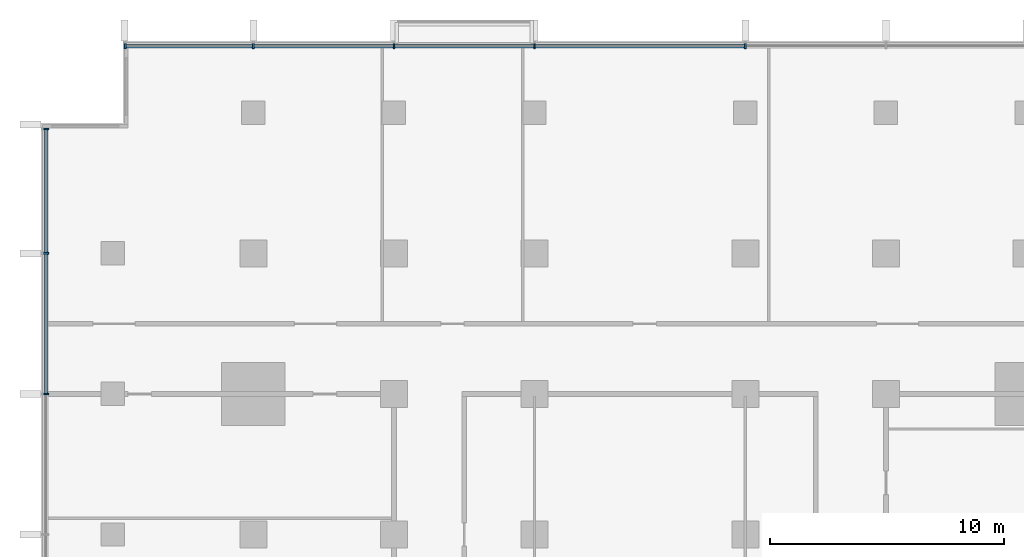
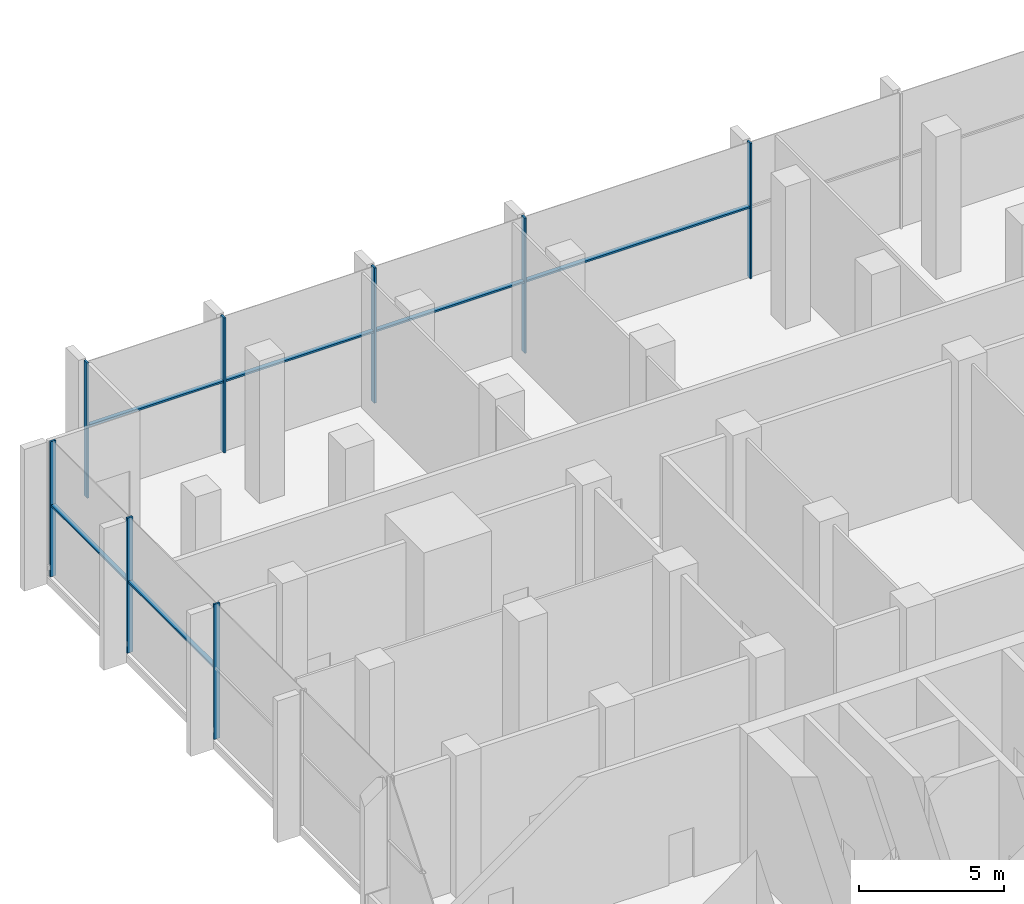
# One storey, part 4 of 16: 14 members, 2 elements without a shape of their own.
"""IFC4 building model written with IfcOpenShell, lengths in metres."""

from ifc_helpers import new_model, si_unit, direction, frame, origin, origin_2d, place, context, subcontext, project, spatial, rectangle, extrude, material, material_profile, profile_set, type_object, element, aggregate, save


model = new_model("IFC4")

# Units and contexts
model_context = context("Model", 3, precision=1e-05, world=origin(), true_north=direction((0.0, 1.0)))
body_context = subcontext(model_context, "Body", "Model", "MODEL_VIEW")
ifc_project = project(units=[si_unit("LENGTHUNIT", "METRE"), si_unit("AREAUNIT", "SQUARE_METRE"), si_unit("VOLUMEUNIT", "CUBIC_METRE"), si_unit("PLANEANGLEUNIT", "RADIAN"), si_unit("MASSUNIT", "GRAM", prefix="KILO")], contexts=[model_context])

# Site, building, storey
site_placement = place(None, origin())
site = spatial("IfcSite", under=ifc_project, at=site_placement, CompositionType="ELEMENT")
building_placement = place(site_placement, origin())
building = spatial("IfcBuilding", under=site, at=building_placement, Name="Finial Court Residences", CompositionType="ELEMENT")
storey_placement = place(building_placement, frame((0.0, 0.0, 127.89990234375)))
storey = spatial("IfcBuildingStorey", under=building, at=storey_placement, Name="L32", CompositionType="ELEMENT", Elevation=127.89990234375)

# Curtain wall, members
ifc_material = material(Name="Bronze anodised aluminium", Category="aluminium")
curtain_wall_type = type_object("IfcCurtainWallType", Name="Sky amenity glazing", PredefinedType="NOTDEFINED", material=ifc_material)
curtain_wall_1_placement = place(storey_placement, origin())
curtain_wall_1 = element("IfcCurtainWall", 1, at=curtain_wall_1_placement, inside=storey, type_object=curtain_wall_type, Name="E-L32-CW-N1", PredefinedType="NOTDEFINED")
ifc_material_profile_1 = material_profile(ifc_material, rectangle(XDim=0.22509765625, YDim=0.074951171875, at=origin_2d()), Name="CW3 mullion 75 x 225")
ifc_profile_set_1 = profile_set([ifc_material_profile_1], Name="Bronze anodised aluminium")
member_type_1 = type_object("IfcMemberType", Name="CW3 mullion 75 x 225", PredefinedType="MULLION", material=ifc_profile_set_1)
member_1_placement = place(storey_placement, frame((-21.96240234375, 22.35009765625, 0.0), z_axis=(0.0, 0.0, 1.0), x_axis=(0.0, 1.0, 0.0)))
member_1 = element("IfcMember", 2, at=member_1_placement, type_object=member_type_1, Name="CW3 mullion 1", PredefinedType="MULLION", context=body_context, shape_type="SweptSolid", body=[
    extrude(rectangle(XDim=0.22509765625, YDim=0.074951171875, at=origin_2d()), origin(), (0.0, 0.0, 1.0), 5.7001953125),
])
member_2_placement = place(storey_placement, frame((-16.5, 22.35009765625, 0.0), z_axis=(0.0, 0.0, 1.0), x_axis=(0.0, 1.0, 0.0)))
member_2 = element("IfcMember", 3, at=member_2_placement, type_object=member_type_1, Name="CW3 mullion 2", PredefinedType="MULLION", context=body_context, shape_type="SweptSolid", body=[
    extrude(rectangle(XDim=0.22509765625, YDim=0.074951171875, at=origin_2d()), origin(), (0.0, 0.0, 1.0), 5.7001953125),
])
member_3_placement = place(storey_placement, frame((-10.5, 22.35009765625, 0.0), z_axis=(0.0, 0.0, 1.0), x_axis=(0.0, 1.0, 0.0)))
member_3 = element("IfcMember", 4, at=member_3_placement, type_object=member_type_1, Name="CW3 mullion 3", PredefinedType="MULLION", context=body_context, shape_type="SweptSolid", body=[
    extrude(rectangle(XDim=0.22509765625, YDim=0.074951171875, at=origin_2d()), origin(), (0.0, 0.0, 1.0), 5.7001953125),
])
member_4_placement = place(storey_placement, frame((-4.5, 22.35009765625, 0.0), z_axis=(0.0, 0.0, 1.0), x_axis=(0.0, 1.0, 0.0)))
member_4 = element("IfcMember", 5, at=member_4_placement, type_object=member_type_1, Name="CW3 mullion 4", PredefinedType="MULLION", context=body_context, shape_type="SweptSolid", body=[
    extrude(rectangle(XDim=0.22509765625, YDim=0.074951171875, at=origin_2d()), origin(), (0.0, 0.0, 1.0), 5.7001953125),
])
member_5_placement = place(storey_placement, frame((4.5, 22.35009765625, 0.0), z_axis=(0.0, 0.0, 1.0), x_axis=(0.0, 1.0, 0.0)))
member_5 = element("IfcMember", 6, at=member_5_placement, type_object=member_type_1, Name="CW3 mullion 5", PredefinedType="MULLION", context=body_context, shape_type="SweptSolid", body=[
    extrude(rectangle(XDim=0.22509765625, YDim=0.074951171875, at=origin_2d()), origin(), (0.0, 0.0, 1.0), 5.7001953125),
])

curtain_wall_2_placement = place(storey_placement, origin())
curtain_wall_2 = element("IfcCurtainWall", 7, at=curtain_wall_2_placement, inside=storey, type_object=curtain_wall_type, Name="E-L32-CW-W5", PredefinedType="NOTDEFINED")
member_6_placement = place(storey_placement, frame((-25.35009765625, 7.5, 0.0), z_axis=(0.0, 0.0, 1.0), x_axis=(-1.0, 0.0, 0.0)))
member_6 = element("IfcMember", 8, at=member_6_placement, type_object=member_type_1, Name="CW3 mullion 5", PredefinedType="MULLION", context=body_context, shape_type="SweptSolid", body=[
    extrude(rectangle(XDim=0.22509765625, YDim=0.074951171875, at=origin_2d()), origin(), (0.0, 0.0, 1.0), 5.7001953125),
])
member_7_placement = place(storey_placement, frame((-25.35009765625, 13.5, 0.0), z_axis=(0.0, 0.0, 1.0), x_axis=(-1.0, 0.0, 0.0)))
member_7 = element("IfcMember", 9, at=member_7_placement, type_object=member_type_1, Name="CW3 mullion 6", PredefinedType="MULLION", context=body_context, shape_type="SweptSolid", body=[
    extrude(rectangle(XDim=0.22509765625, YDim=0.074951171875, at=origin_2d()), origin(), (0.0, 0.0, 1.0), 5.7001953125),
])
member_8_placement = place(storey_placement, frame((-25.35009765625, 18.8125, 0.0), z_axis=(0.0, 0.0, 1.0), x_axis=(-1.0, 0.0, 0.0)))
member_8 = element("IfcMember", 10, at=member_8_placement, type_object=member_type_1, Name="CW3 mullion 7", PredefinedType="MULLION", context=body_context, shape_type="SweptSolid", body=[
    extrude(rectangle(XDim=0.22509765625, YDim=0.074951171875, at=origin_2d()), origin(), (0.0, 0.0, 1.0), 5.7001953125),
])

# Member
ifc_material_profile_2 = material_profile(ifc_material, rectangle(XDim=0.175048828125, YDim=0.074951171875, at=origin_2d()), Name="CW3 transom 75 x 175")
ifc_profile_set_2 = profile_set([ifc_material_profile_2], Name="Bronze anodised aluminium")
member_type_2 = type_object("IfcMemberType", Name="CW3 transom 75 x 175", PredefinedType="USERDEFINED", material=ifc_profile_set_2)
member_9_placement = place(storey_placement, frame((-21.925048828125, 22.35009765625, 3.0), z_axis=(1.0, 0.0, 0.0), x_axis=(0.0, 1.0, 0.0)))
member_9 = element("IfcMember", 11, at=member_9_placement, type_object=member_type_2, Name="CW3 transom 1.1", ObjectType="TRANSOM", PredefinedType="USERDEFINED", context=body_context, shape_type="SweptSolid", body=[
    extrude(rectangle(XDim=0.175048828125, YDim=0.074951171875, at=origin_2d()), origin(), (0.0, 0.0, 1.0), 5.387451171875),
])

member_10_placement = place(storey_placement, frame((-16.46240234375, 22.35009765625, 3.0), z_axis=(1.0, 0.0, 0.0), x_axis=(0.0, 1.0, 0.0)))
member_10 = element("IfcMember", 12, at=member_10_placement, type_object=member_type_2, Name="CW3 transom 2.1", ObjectType="TRANSOM", PredefinedType="USERDEFINED", context=body_context, shape_type="SweptSolid", body=[
    extrude(rectangle(XDim=0.175048828125, YDim=0.074951171875, at=origin_2d()), origin(), (0.0, 0.0, 1.0), 5.9248046875),
])

member_11_placement = place(storey_placement, frame((-10.46240234375, 22.35009765625, 3.0), z_axis=(1.0, 0.0, 0.0), x_axis=(0.0, 1.0, 0.0)))
member_11 = element("IfcMember", 13, at=member_11_placement, type_object=member_type_2, Name="CW3 transom 3.1", ObjectType="TRANSOM", PredefinedType="USERDEFINED", context=body_context, shape_type="SweptSolid", body=[
    extrude(rectangle(XDim=0.175048828125, YDim=0.074951171875, at=origin_2d()), origin(), (0.0, 0.0, 1.0), 5.9248046875),
])

member_12_placement = place(storey_placement, frame((-4.46240234375, 22.35009765625, 3.0), z_axis=(1.0, 0.0, 0.0), x_axis=(0.0, 1.0, 0.0)))
member_12 = element("IfcMember", 14, at=member_12_placement, type_object=member_type_2, Name="CW3 transom 4.1", ObjectType="TRANSOM", PredefinedType="USERDEFINED", context=body_context, shape_type="SweptSolid", body=[
    extrude(rectangle(XDim=0.175048828125, YDim=0.074951171875, at=origin_2d()), origin(), (0.0, 0.0, 1.0), 8.9248046875),
])

aggregate(curtain_wall_1, [member_1, member_2, member_3, member_4, member_5, member_9, member_10, member_11, member_12])

member_13_placement = place(storey_placement, frame((-25.35009765625, 7.53759765625, 3.0), z_axis=(0.0, 1.0, 0.0), x_axis=(-1.0, 0.0, 0.0)))
member_13 = element("IfcMember", 15, at=member_13_placement, type_object=member_type_2, Name="CW3 transom 5.1", ObjectType="TRANSOM", PredefinedType="USERDEFINED", context=body_context, shape_type="SweptSolid", body=[
    extrude(rectangle(XDim=0.175048828125, YDim=0.074951171875, at=origin_2d()), origin(), (0.0, 0.0, 1.0), 5.9248046875),
])

member_14_placement = place(storey_placement, frame((-25.35009765625, 13.53759765625, 3.0), z_axis=(0.0, 1.0, 0.0), x_axis=(-1.0, 0.0, 0.0)))
member_14 = element("IfcMember", 16, at=member_14_placement, type_object=member_type_2, Name="CW3 transom 6.1", ObjectType="TRANSOM", PredefinedType="USERDEFINED", context=body_context, shape_type="SweptSolid", body=[
    extrude(rectangle(XDim=0.175048828125, YDim=0.074951171875, at=origin_2d()), origin(), (0.0, 0.0, 1.0), 5.2373046875),
])

aggregate(curtain_wall_2, [member_6, member_7, member_8, member_13, member_14])

save(model, "model.ifc")
